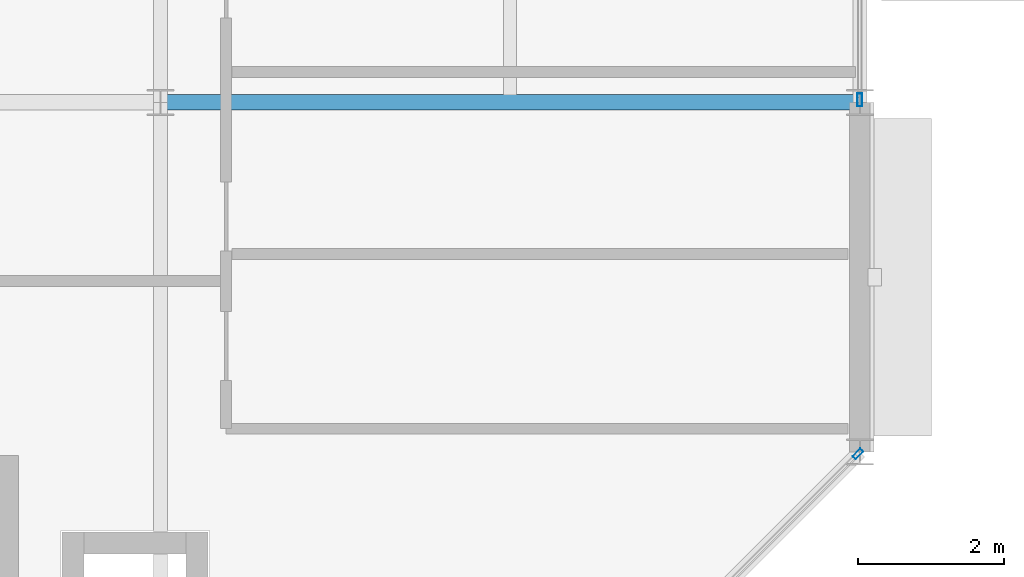
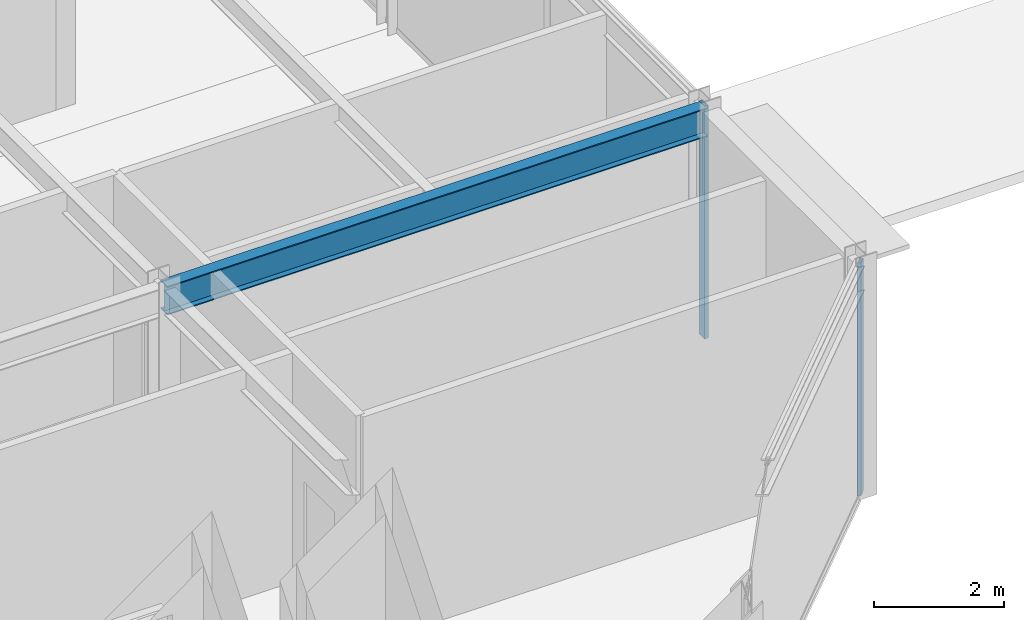
# One storey, part 49 of 133: 2 members, 1 beam, 2 elements without a shape of their own.
"""IFC4 building model written with IfcOpenShell, lengths in metres."""

import ifcopenshell
import ifcopenshell.guid

model = None  # the IFC model being written
_history = None  # IfcOwnerHistory: only IFC2X3 demands one
_inside = {}  # id of a spatial element -> (the spatial element, [elements in it])
_under = {}  # id of a project, library or spatial element -> (it, [spatial elements below it])
_declared = {}  # id of a project -> (the project, [libraries it declares])
_typed = {}  # id of a type object -> (the type object, [elements of that type])
_made_of = {}  # id of a material, layer set ... -> (it, [elements and type objects made of it])


def new_model(schema):
    """Start an empty IFC model of exactly this schema.

    Asked for "IFC4X3", IfcOpenShell would pick the latest addendum, in which some entities
    have other attributes; the version numbers below select the first issue.
    IFC2X3 requires an IfcOwnerHistory on every rooted entity: one is made here for all.
    """
    global model, _history
    if schema == "IFC4X3":
        model = ifcopenshell.file(schema_version=(4, 3, 0, 0))
    else:
        model = ifcopenshell.file(schema=schema)
    _inside.clear()
    _under.clear()
    _declared.clear()
    _typed.clear()
    _made_of.clear()
    _history = None
    if model.schema == "IFC2X3":
        org = make("IfcOrganization", Name="unknown")
        user = make(
            "IfcPersonAndOrganization",
            ThePerson=make("IfcPerson", FamilyName="unknown"),
            TheOrganization=org,
        )
        app = make(
            "IfcApplication",
            ApplicationDeveloper=org,
            Version="unknown",
            ApplicationFullName="unknown",
            ApplicationIdentifier="unknown",
        )
        _history = make(
            "IfcOwnerHistory",
            OwningUser=user,
            OwningApplication=app,
            ChangeAction="ADDED",
            CreationDate=0,
        )
    return model


def make(cls, **values):
    """One entity of the class cls with the attributes given. An attribute that is None is left unset."""
    return model.create_entity(
        cls, **{name: value for name, value in values.items() if value is not None}
    )


def rooted(cls, **values):
    """An entity with a GlobalId (a new one), such as an element, a storey or a relation."""
    return make(cls, GlobalId=ifcopenshell.guid.new(), OwnerHistory=_history, **values)


def si_unit(unit_type, name, prefix=None):
    """IfcSIUnit, for example si_unit("LENGTHUNIT", "METRE", prefix="MILLI")."""
    return make("IfcSIUnit", UnitType=unit_type, Prefix=prefix, Name=name)


def assignment(units):
    """IfcUnitAssignment: the units of a project."""
    return None if units is None else make("IfcUnitAssignment", Units=units)


def point(xyz):
    """IfcCartesianPoint."""
    return None if xyz is None else make("IfcCartesianPoint", Coordinates=xyz)


def direction(xyz):
    """IfcDirection."""
    return None if xyz is None else make("IfcDirection", DirectionRatios=xyz)


def frame(location, z_axis=None, x_axis=None):
    """IfcAxis2Placement3D, a coordinate frame: its origin and axes. An axis left out is left unset."""
    return make(
        "IfcAxis2Placement3D",
        Location=point(location),
        Axis=direction(z_axis),
        RefDirection=direction(x_axis),
    )


def frame_2d(location, x_axis=None):
    """IfcAxis2Placement2D, a coordinate frame in the plane: its origin and x axis."""
    return make(
        "IfcAxis2Placement2D", Location=point(location), RefDirection=direction(x_axis)
    )


def origin():
    """The frame at (0, 0, 0) with its axes left unset."""
    return frame((0.0, 0.0, 0.0))


def origin_2d():
    """The frame at (0, 0) in the plane with its x axis left unset."""
    return frame_2d((0.0, 0.0))


def place(relative_to, where):
    """IfcLocalPlacement: puts the frame where relative to a parent placement (None: the world)."""
    return make(
        "IfcLocalPlacement", PlacementRelTo=relative_to, RelativePlacement=where
    )


def context(
    kind, dimensions, precision=None, world=None, true_north=None, identifier=None
):
    """IfcGeometricRepresentationContext, for example the 3D "Model" context."""
    return make(
        "IfcGeometricRepresentationContext",
        ContextIdentifier=identifier,
        ContextType=kind,
        CoordinateSpaceDimension=dimensions,
        Precision=precision,
        WorldCoordinateSystem=world,
        TrueNorth=true_north,
    )


def subcontext(parent, identifier, kind, view, scale=None):
    """IfcGeometricRepresentationSubContext, for example "Body" below "Model"."""
    return make(
        "IfcGeometricRepresentationSubContext",
        ContextIdentifier=identifier,
        ContextType=kind,
        ParentContext=parent,
        TargetScale=scale,
        TargetView=view,
    )


def project(units=None, contexts=None):
    """IfcProject with its units and contexts."""
    return rooted(
        "IfcProject",
        Name="project",
        RepresentationContexts=contexts,
        UnitsInContext=assignment(units),
    )


def spatial(cls, under=None, at=None, **own):
    """A site, building, storey or space (cls), placed at a placement, below another one or the project."""
    s = rooted(cls, ObjectPlacement=at, **own)
    if under is not None:
        _under.setdefault(under.id(), (under, []))[1].append(s)
    return s


def profile(cls, at=None, kind="AREA", **sizes):
    """A parametric profile (cls). Its sizes go by their IFC names, for example OverallWidth=200.0."""
    return make(cls, ProfileType=kind, Position=at, **sizes)


def hollow_rectangle(**sizes):
    """IfcRectangleHollowProfileDef."""
    return profile("IfcRectangleHollowProfileDef", **sizes)


def i_section(**sizes):
    """IfcIShapeProfileDef."""
    return profile("IfcIShapeProfileDef", **sizes)


def extrude(swept, where, along, depth):
    """IfcExtrudedAreaSolid: the profile swept, set in the frame where, extruded along a direction by depth."""
    return make(
        "IfcExtrudedAreaSolid",
        SweptArea=swept,
        Position=where,
        ExtrudedDirection=direction(along),
        Depth=depth,
    )


def shape(context_of_items, identifier, shape_type, items):
    """IfcShapeRepresentation: the items that make up one representation, for example the "Body"."""
    return make(
        "IfcShapeRepresentation",
        ContextOfItems=context_of_items,
        RepresentationIdentifier=identifier,
        RepresentationType=shape_type,
        Items=items,
    )


def material(Name=None, Category=None):
    """IfcMaterial."""
    return make("IfcMaterial", Name=Name, Category=Category)


def material_profile(
    of_material, cross_section, Name=None, Category=None, Priority=None
):
    """IfcMaterialProfile: a cross section and its material."""
    return make(
        "IfcMaterialProfile",
        Name=Name,
        Material=of_material,
        Profile=cross_section,
        Priority=Priority,
        Category=Category,
    )


def profile_set(profiles, Name=None, composite=None):
    """IfcMaterialProfileSet."""
    return make(
        "IfcMaterialProfileSet",
        Name=Name,
        MaterialProfiles=profiles,
        CompositeProfile=composite,
    )


def made_of(thing, what):
    """Note that an element or type object is made of a material, layer set ...; save() writes the relation."""
    if what is not None:
        _made_of.setdefault(what.id(), (what, []))[1].append(thing)
    return thing


def type_object(cls, material=None, **own):
    """A type object (cls), such as IfcWallType, which elements share."""
    return made_of(rooted(cls, **own), material)


def element(
    cls,
    number,
    at=None,
    inside=None,
    cuts=None,
    type_object=None,
    material=None,
    context=None,
    identifier="Body",
    shape_type=None,
    held_by="IfcProductDefinitionShape",
    body=None,
    shapes=None,
    **own,
):
    """One element of the class cls, such as IfcWall. Its Tag is "e" and its number.

    at: its placement. inside: the storey or other place that contains it. cuts: it is an
    opening in that element (IfcRelVoidsElement). A single representation is given by context,
    identifier, shape_type and body (its items); several are given by shapes. held_by: the class
    of the entity that holds the representations. save() writes the other relations.
    """
    e = rooted(cls, Tag="e%d" % number, ObjectPlacement=at, **own)
    if body is not None:
        shapes = [shape(context, identifier, shape_type, body)]
    if shapes is not None:
        e.Representation = make(held_by, Representations=shapes)
    if inside is not None:
        _inside.setdefault(inside.id(), (inside, []))[1].append(e)
    if cuts is not None:
        rooted(
            "IfcRelVoidsElement", RelatingBuildingElement=cuts, RelatedOpeningElement=e
        )
    if type_object is not None:
        _typed.setdefault(type_object.id(), (type_object, []))[1].append(e)
    return made_of(e, material)


def aggregate(whole, parts):
    """IfcRelAggregates: a whole, such as a stair, and the parts it consists of."""
    return rooted("IfcRelAggregates", RelatingObject=whole, RelatedObjects=parts)


def save(model, path):
    """Write the relations noted so far, then the file.

    IfcRelAggregates (storeys below a building ...), IfcRelContainedInSpatialStructure (elements
    in a storey), IfcRelDefinesByType, IfcRelAssociatesMaterial and IfcRelDeclares: one each for
    every whole, place, type object, material and project.
    """
    for whole, parts in _under.values():
        aggregate(whole, parts)
    for where, things in _inside.values():
        rooted(
            "IfcRelContainedInSpatialStructure",
            RelatedElements=things,
            RelatingStructure=where,
        )
    for kind, things in _typed.values():
        rooted("IfcRelDefinesByType", RelatedObjects=things, RelatingType=kind)
    for what, things in _made_of.values():
        rooted("IfcRelAssociatesMaterial", RelatedObjects=things, RelatingMaterial=what)
    for by, libraries in _declared.values():
        rooted("IfcRelDeclares", RelatingContext=by, RelatedDefinitions=libraries)
    model.write(path)


model = new_model("IFC4")

# Units and contexts
model_context = context("Model", 3, precision=1e-05, world=origin(), true_north=direction((0.0, 1.0)))
body_context = subcontext(model_context, "Body", "Model", "MODEL_VIEW")
ifc_project = project(units=[si_unit("LENGTHUNIT", "METRE"), si_unit("AREAUNIT", "SQUARE_METRE"), si_unit("VOLUMEUNIT", "CUBIC_METRE"), si_unit("PLANEANGLEUNIT", "RADIAN"), si_unit("MASSUNIT", "GRAM", prefix="KILO")], contexts=[model_context])

# Site, building, storey
site_placement = place(None, origin())
site = spatial("IfcSite", under=ifc_project, at=site_placement, CompositionType="ELEMENT")
building_placement = place(site_placement, origin())
building = spatial("IfcBuilding", under=site, at=building_placement, Name="Almandine Court Research Institute", CompositionType="ELEMENT")
storey_placement = place(building_placement, frame((0.0, 0.0, 9.800048828125)))
storey = spatial("IfcBuildingStorey", under=building, at=storey_placement, Name="L02", CompositionType="ELEMENT", Elevation=9.800048828125)

# Beam
ifc_material_1 = material(Name="Steel ASTM A992 Grade 50", Category="steel")
ifc_material_profile_1 = material_profile(ifc_material_1, i_section(OverallWidth=0.2109375, OverallDepth=0.5390625, WebThickness=0.011962890625, FlangeThickness=0.01904296875, at=origin_2d()), Name="W530x109")
ifc_profile_set_1 = profile_set([ifc_material_profile_1], Name="Steel ASTM A992 Grade 50")
beam_type = type_object("IfcBeamType", Name="Beam-G-04", PredefinedType="BEAM", material=ifc_profile_set_1)
beam_placement = place(storey_placement, frame((25.199951171875, 93.60009765625, 4.099853515625), z_axis=(1.0, 0.0, 0.0), x_axis=(0.0, 1.0, 0.0)))
element("IfcBeam", 1, at=beam_placement, inside=storey, type_object=beam_type, Name="L02 V3 Primary X Girder", PredefinedType="BEAM", context=body_context, shape_type="SweptSolid", body=[
    extrude(i_section(OverallWidth=0.2109375, OverallDepth=0.5390625, WebThickness=0.011962890625, FlangeThickness=0.01904296875, at=origin_2d()), origin(), (0.0, 0.0, 1.0), 9.60009765625),
])

# Curtain wall, member
ifc_material_2 = material(Name="Unitised Curtain Wall Framing and Solar Glazing", Category="glass")
curtain_wall_type_1 = type_object("IfcCurtainWallType", Name="CW-CWG-05", PredefinedType="USERDEFINED", material=ifc_material_2)
curtain_wall_1_placement = place(storey_placement, origin())
curtain_wall_1 = element("IfcCurtainWall", 2, at=curtain_wall_1_placement, inside=storey, type_object=curtain_wall_type_1, Name="L02 Cleanroom SE Chamfer Glazing", ObjectType="UNITISED GLAZING", PredefinedType="USERDEFINED")
ifc_material_3 = material(Name="Anodised Aluminium AW-6063-T6", Category="aluminium")
ifc_material_profile_2 = material_profile(ifc_material_3, hollow_rectangle(XDim=0.06005859375, YDim=0.14990234375, WallThickness=0.00390625, at=origin_2d()), Name="ALU RHS 60x150x4")
ifc_profile_set_2 = profile_set([ifc_material_profile_2], Name="Anodised Aluminium AW-6063-T6")
member_type_1 = type_object("IfcMemberType", Name="CWMul-60x150", PredefinedType="MULLION", material=ifc_profile_set_2)
member_1_placement = place(storey_placement, frame((34.77490234375, 88.77490234375, 0.0), z_axis=(0.0, 0.0, 1.0), x_axis=(0.707106781187, -0.707106781187, 0.0)))
member_1 = element("IfcMember", 3, at=member_1_placement, type_object=member_type_1, Name="CWG-05 mullion 1", PredefinedType="MULLION", context=body_context, shape_type="SweptSolid", body=[
    extrude(hollow_rectangle(XDim=0.06005859375, YDim=0.14990234375, WallThickness=0.00390625, at=origin_2d()), origin(), (0.0, 0.0, 1.0), 4.369873046875),
])
aggregate(curtain_wall_1, [member_1])

curtain_wall_type_2 = type_object("IfcCurtainWallType", Name="CW-CWJ-02", PredefinedType="USERDEFINED", material=ifc_material_2)
curtain_wall_2_placement = place(storey_placement, origin())
curtain_wall_2 = element("IfcCurtainWall", 4, at=curtain_wall_2_placement, inside=storey, type_object=curtain_wall_type_2, Name="L02 Cleanroom East Courtyard Jali Screen 2", ObjectType="SOLAR JALI SCREEN", PredefinedType="USERDEFINED")
ifc_material_profile_3 = material_profile(ifc_material_3, hollow_rectangle(XDim=0.06494140625, YDim=0.179931640625, WallThickness=0.00390625, at=origin_2d()), Name="ALU RHS 65x180x4")
ifc_profile_set_3 = profile_set([ifc_material_profile_3], Name="Anodised Aluminium AW-6063-T6")
member_type_2 = type_object("IfcMemberType", Name="CWMul-65x180", PredefinedType="MULLION", material=ifc_profile_set_3)
member_2_placement = place(storey_placement, frame((34.800048828125, 93.636474609375, 0.0), z_axis=(0.0, 0.0, 1.0), x_axis=(1.0, 0.0, 0.0)))
member_2 = element("IfcMember", 5, at=member_2_placement, type_object=member_type_2, Name="CWJ-02 mullion 3", PredefinedType="MULLION", context=body_context, shape_type="SweptSolid", body=[
    extrude(hollow_rectangle(XDim=0.06494140625, YDim=0.179931640625, WallThickness=0.00390625, at=origin_2d()), origin(), (0.0, 0.0, 1.0), 4.369873046875),
])
aggregate(curtain_wall_2, [member_2])

save(model, "model.ifc")
